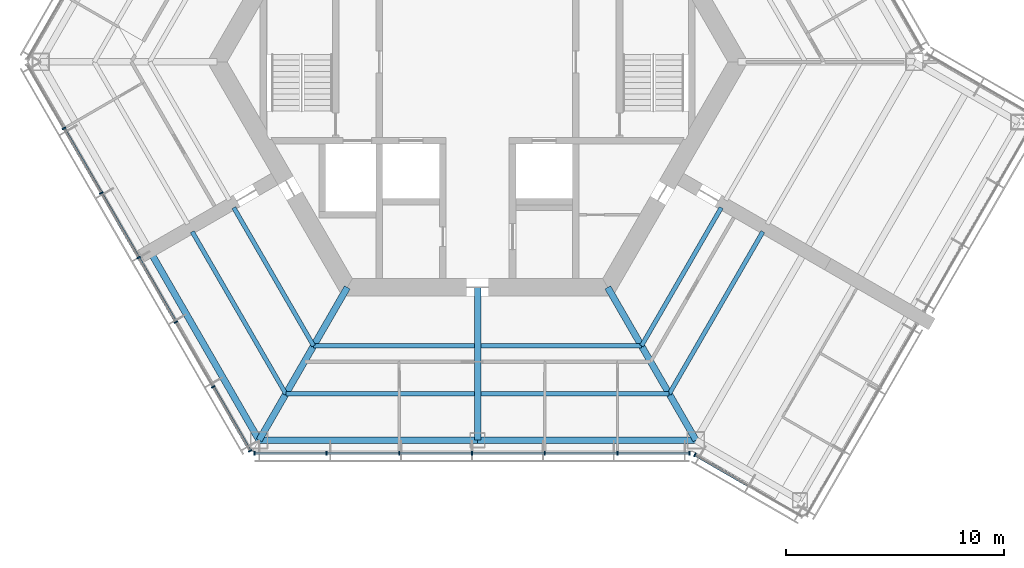
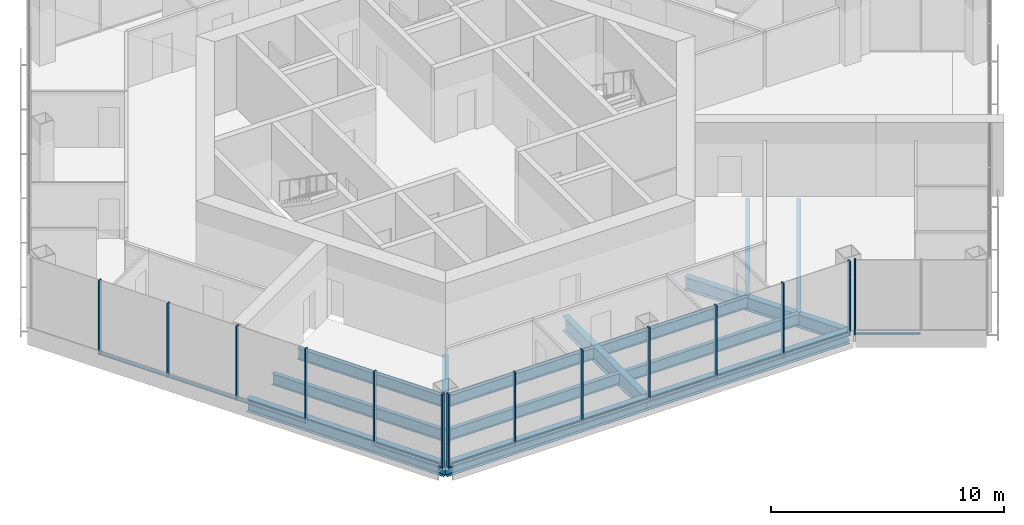
# One storey, part 2 of 13: 25 members, 14 beams, 3 elements without a shape of their own.
"""IFC4 building model written with IfcOpenShell, lengths in metres."""

from ifc_helpers import new_model, si_unit, direction, frame, origin, origin_2d, place, context, subcontext, project, spatial, rectangle, i_section, extrude, material, material_profile, profile_set, type_object, element, aggregate, save


model = new_model("IFC4")

# Units and contexts
model_context = context("Model", 3, precision=1e-05, world=origin(), true_north=direction((0.0, 1.0)))
body_context = subcontext(model_context, "Body", "Model", "MODEL_VIEW")
ifc_project = project(units=[si_unit("LENGTHUNIT", "METRE"), si_unit("AREAUNIT", "SQUARE_METRE"), si_unit("VOLUMEUNIT", "CUBIC_METRE"), si_unit("PLANEANGLEUNIT", "RADIAN"), si_unit("MASSUNIT", "GRAM", prefix="KILO")], contexts=[model_context])

# Site, building, storey
site_placement = place(None, origin())
site = spatial("IfcSite", under=ifc_project, at=site_placement, CompositionType="ELEMENT")
building_placement = place(site_placement, origin())
building = spatial("IfcBuilding", under=site, at=building_placement, Name="Kasaneha Research Tower", CompositionType="ELEMENT")
storey_placement = place(building_placement, frame((0.0, 0.0, 275.199951171875)))
storey = spatial("IfcBuildingStorey", under=building, at=storey_placement, Name="L69", CompositionType="ELEMENT", Elevation=275.199951171875)

# Beams
ifc_material_1 = material(Name="Steel SN490B", Category="steel")
ifc_material_profile_1 = material_profile(ifc_material_1, i_section(OverallWidth=0.199951171875, OverallDepth=0.60009765625, WebThickness=0.010986328125, FlangeThickness=0.01708984375, FilletRadius=0.012939453125, at=origin_2d()), Name="H-600x200x11x17")
ifc_profile_set_1 = profile_set([ifc_material_profile_1], Name="Steel SN490B")
beam_type_1 = type_object("IfcBeamType", Name="B1-3 secondary beam H-600x200x11x17", PredefinedType="JOIST", material=ifc_profile_set_1)
beam_1_placement = place(storey_placement, frame((-7.505615234375, -13.0, -0.449951171875), z_axis=(-0.499999192304, 0.866025870108, 0.0), x_axis=(-0.866025870108, -0.499999192304, 0.0)))
element("IfcBeam", 1, at=beam_1_placement, inside=storey, type_object=beam_type_1, Name="Secondary beam RS210R1 L69", PredefinedType="JOIST", context=body_context, shape_type="SweptSolid", body=[
    extrude(i_section(OverallWidth=0.199951171875, OverallDepth=0.60009765625, WebThickness=0.010986328125, FlangeThickness=0.01708984375, FilletRadius=0.012939453125, at=origin_2d()), origin(), (0.0, 0.0, 1.0), 7.3056640625),
])
beam_2_placement = place(storey_placement, frame((-8.775634765625, -15.199951171875, -0.449951171875), z_axis=(-0.500000102728, 0.866025344474, 0.0), x_axis=(-0.866025344474, -0.500000102728, 0.0)))
element("IfcBeam", 2, at=beam_2_placement, inside=storey, type_object=beam_type_1, Name="Secondary beam RS210R2 L69", PredefinedType="JOIST", context=body_context, shape_type="SweptSolid", body=[
    extrude(i_section(OverallWidth=0.199951171875, OverallDepth=0.60009765625, WebThickness=0.010986328125, FlangeThickness=0.01708984375, FilletRadius=0.012939453125, at=origin_2d()), origin(), (0.0, 0.0, 1.0), 8.57568359375),
])
beam_3_placement = place(storey_placement, frame((-7.505615234375, -13.0, -0.449951171875), z_axis=(1.0, 0.0, 0.0), x_axis=(0.0, 1.0, 0.0)))
element("IfcBeam", 3, at=beam_3_placement, inside=storey, type_object=beam_type_1, Name="Secondary beam RS270L1 L69", PredefinedType="JOIST", context=body_context, shape_type="SweptSolid", body=[
    extrude(i_section(OverallWidth=0.199951171875, OverallDepth=0.60009765625, WebThickness=0.010986328125, FlangeThickness=0.01708984375, FilletRadius=0.012939453125, at=origin_2d()), origin(), (0.0, 0.0, 1.0), 7.355712890625),
])
beam_4_placement = place(storey_placement, frame((-8.775634765625, -15.199951171875, -0.449951171875), z_axis=(1.0, 0.0, 0.0), x_axis=(0.0, 1.0, 0.0)))
element("IfcBeam", 4, at=beam_4_placement, inside=storey, type_object=beam_type_1, Name="Secondary beam RS270L2 L69", PredefinedType="JOIST", context=body_context, shape_type="SweptSolid", body=[
    extrude(i_section(OverallWidth=0.199951171875, OverallDepth=0.60009765625, WebThickness=0.010986328125, FlangeThickness=0.01708984375, FilletRadius=0.012939453125, at=origin_2d()), origin(), (0.0, 0.0, 1.0), 8.625732421875),
])
beam_5_placement = place(storey_placement, frame((7.505615234375, -13.0, -0.449951171875), z_axis=(-1.0, 0.0, 0.0), x_axis=(0.0, -1.0, 0.0)))
element("IfcBeam", 5, at=beam_5_placement, inside=storey, type_object=beam_type_1, Name="Secondary beam RS270R1 L69", PredefinedType="JOIST", context=body_context, shape_type="SweptSolid", body=[
    extrude(i_section(OverallWidth=0.199951171875, OverallDepth=0.60009765625, WebThickness=0.010986328125, FlangeThickness=0.01708984375, FilletRadius=0.012939453125, at=origin_2d()), origin(), (0.0, 0.0, 1.0), 7.355712890625),
])
beam_6_placement = place(storey_placement, frame((8.775634765625, -15.199951171875, -0.449951171875), z_axis=(-1.0, 0.0, 0.0), x_axis=(0.0, -1.0, 0.0)))
element("IfcBeam", 6, at=beam_6_placement, inside=storey, type_object=beam_type_1, Name="Secondary beam RS270R2 L69", PredefinedType="JOIST", context=body_context, shape_type="SweptSolid", body=[
    extrude(i_section(OverallWidth=0.199951171875, OverallDepth=0.60009765625, WebThickness=0.010986328125, FlangeThickness=0.01708984375, FilletRadius=0.012939453125, at=origin_2d()), origin(), (0.0, 0.0, 1.0), 8.625732421875),
])
beam_7_placement = place(storey_placement, frame((7.505615234375, -13.0, -0.449951171875), z_axis=(0.499999192304, 0.866025870108, 0.0), x_axis=(-0.866025870108, 0.499999192304, 0.0)))
element("IfcBeam", 7, at=beam_7_placement, inside=storey, type_object=beam_type_1, Name="Secondary beam RS330L1 L69", PredefinedType="JOIST", context=body_context, shape_type="SweptSolid", body=[
    extrude(i_section(OverallWidth=0.199951171875, OverallDepth=0.60009765625, WebThickness=0.010986328125, FlangeThickness=0.01708984375, FilletRadius=0.012939453125, at=origin_2d()), origin(), (0.0, 0.0, 1.0), 7.3056640625),
])
beam_8_placement = place(storey_placement, frame((8.775634765625, -15.199951171875, -0.449951171875), z_axis=(0.500000102728, 0.866025344474, 0.0), x_axis=(-0.866025344474, 0.500000102728, 0.0)))
element("IfcBeam", 8, at=beam_8_placement, inside=storey, type_object=beam_type_1, Name="Secondary beam RS330L2 L69", PredefinedType="JOIST", context=body_context, shape_type="SweptSolid", body=[
    extrude(i_section(OverallWidth=0.199951171875, OverallDepth=0.60009765625, WebThickness=0.010986328125, FlangeThickness=0.01708984375, FilletRadius=0.012939453125, at=origin_2d()), origin(), (0.0, 0.0, 1.0), 8.57568359375),
])

# Curtain wall, members
ifc_material_2 = material(Name="Glass and aluminium", Category="aluminium")
curtain_wall_type = type_object("IfcCurtainWallType", Name="Crown curtain wall", PredefinedType="USERDEFINED", material=ifc_material_2)
curtain_wall_1_placement = place(storey_placement, origin())
curtain_wall_1 = element("IfcCurtainWall", 9, at=curtain_wall_1_placement, inside=storey, type_object=curtain_wall_type, Name="CW-C L69 run 04a", ObjectType="UNITISED CURTAIN WALL", PredefinedType="USERDEFINED")
ifc_material_3 = material(Name="Aluminium 6063-T6", Category="aluminium")
ifc_material_profile_2 = material_profile(ifc_material_3, rectangle(XDim=0.06005859375, YDim=0.179931640625, at=origin_2d()), Name="CW-C mullion 60x180")
ifc_profile_set_2 = profile_set([ifc_material_profile_2], Name="Aluminium 6063-T6")
member_type_1 = type_object("IfcMemberType", Name="CW-C mullion", PredefinedType="MULLION", material=ifc_profile_set_2)
member_1_placement = place(storey_placement, frame((-18.93505859375, -3.04443359375, 0.0), z_axis=(0.0, 0.0, 1.0), x_axis=(0.499999995722, -0.866025406254, 0.0)))
member_1 = element("IfcMember", 10, at=member_1_placement, type_object=member_type_1, Name="CW-C mullion 2", PredefinedType="MULLION", context=body_context, shape_type="SweptSolid", body=[
    extrude(rectangle(XDim=0.06005859375, YDim=0.179931640625, at=origin_2d()), origin(), (0.0, 0.0, 1.0), 3.900146484375),
])
member_2_placement = place(storey_placement, frame((-17.227294921875, -6.00244140625, 0.0), z_axis=(0.0, 0.0, 1.0), x_axis=(0.499999995722, -0.866025406254, 0.0)))
member_2 = element("IfcMember", 11, at=member_2_placement, type_object=member_type_1, Name="CW-C mullion 3", PredefinedType="MULLION", context=body_context, shape_type="SweptSolid", body=[
    extrude(rectangle(XDim=0.06005859375, YDim=0.179931640625, at=origin_2d()), origin(), (0.0, 0.0, 1.0), 3.900146484375),
])
member_3_placement = place(storey_placement, frame((-15.51953125, -8.960205078125, 0.0), z_axis=(0.0, 0.0, 1.0), x_axis=(0.499999995722, -0.866025406254, 0.0)))
member_3 = element("IfcMember", 12, at=member_3_placement, type_object=member_type_1, Name="CW-C mullion 4", PredefinedType="MULLION", context=body_context, shape_type="SweptSolid", body=[
    extrude(rectangle(XDim=0.06005859375, YDim=0.179931640625, at=origin_2d()), origin(), (0.0, 0.0, 1.0), 3.900146484375),
])
member_4_placement = place(storey_placement, frame((-13.811767578125, -11.918212890625, 0.0), z_axis=(0.0, 0.0, 1.0), x_axis=(0.499999995722, -0.866025406254, 0.0)))
member_4 = element("IfcMember", 13, at=member_4_placement, type_object=member_type_1, Name="CW-C mullion 5", PredefinedType="MULLION", context=body_context, shape_type="SweptSolid", body=[
    extrude(rectangle(XDim=0.06005859375, YDim=0.179931640625, at=origin_2d()), origin(), (0.0, 0.0, 1.0), 3.900146484375),
])
member_5_placement = place(storey_placement, frame((-12.104248046875, -14.8759765625, 0.0), z_axis=(0.0, 0.0, 1.0), x_axis=(0.499999995722, -0.866025406254, 0.0)))
member_5 = element("IfcMember", 14, at=member_5_placement, type_object=member_type_1, Name="CW-C mullion 6", PredefinedType="MULLION", context=body_context, shape_type="SweptSolid", body=[
    extrude(rectangle(XDim=0.06005859375, YDim=0.179931640625, at=origin_2d()), origin(), (0.0, 0.0, 1.0), 3.900146484375),
])
member_6_placement = place(storey_placement, frame((-10.411376953125, -17.807861328125, 0.0), z_axis=(0.0, 0.0, 1.0), x_axis=(0.499999995722, -0.866025406254, 0.0)))
member_6 = element("IfcMember", 15, at=member_6_placement, type_object=member_type_1, Name="CW-C mullion 7", PredefinedType="MULLION", context=body_context, shape_type="SweptSolid", body=[
    extrude(rectangle(XDim=0.06005859375, YDim=0.179931640625, at=origin_2d()), origin(), (0.0, 0.0, 1.0), 3.900146484375),
])

curtain_wall_2_placement = place(storey_placement, origin())
curtain_wall_2 = element("IfcCurtainWall", 16, at=curtain_wall_2_placement, inside=storey, type_object=curtain_wall_type, Name="CW-C L69 run 05a", ObjectType="UNITISED CURTAIN WALL", PredefinedType="USERDEFINED")
member_7_placement = place(storey_placement, frame((-10.21630859375, -17.92041015625, 0.0), z_axis=(0.0, 0.0, 1.0), x_axis=(1.0, 0.0, 0.0)))
member_7 = element("IfcMember", 17, at=member_7_placement, type_object=member_type_1, Name="CW-C mullion 1", PredefinedType="MULLION", context=body_context, shape_type="SweptSolid", body=[
    extrude(rectangle(XDim=0.06005859375, YDim=0.179931640625, at=origin_2d()), origin(), (0.0, 0.0, 1.0), 3.900146484375),
])
member_8_placement = place(storey_placement, frame((-6.91552734375, -17.92041015625, 0.0), z_axis=(0.0, 0.0, 1.0), x_axis=(1.0, 0.0, 0.0)))
member_8 = element("IfcMember", 18, at=member_8_placement, type_object=member_type_1, Name="CW-C mullion 2", PredefinedType="MULLION", context=body_context, shape_type="SweptSolid", body=[
    extrude(rectangle(XDim=0.06005859375, YDim=0.179931640625, at=origin_2d()), origin(), (0.0, 0.0, 1.0), 3.900146484375),
])
member_9_placement = place(storey_placement, frame((-3.58447265625, -17.92041015625, 0.0), z_axis=(0.0, 0.0, 1.0), x_axis=(1.0, 0.0, 0.0)))
member_9 = element("IfcMember", 19, at=member_9_placement, type_object=member_type_1, Name="CW-C mullion 3", PredefinedType="MULLION", context=body_context, shape_type="SweptSolid", body=[
    extrude(rectangle(XDim=0.06005859375, YDim=0.179931640625, at=origin_2d()), origin(), (0.0, 0.0, 1.0), 3.900146484375),
])
member_10_placement = place(storey_placement, frame((-0.253662109375, -17.92041015625, 0.0), z_axis=(0.0, 0.0, 1.0), x_axis=(1.0, 0.0, 0.0)))
member_10 = element("IfcMember", 20, at=member_10_placement, type_object=member_type_1, Name="CW-C mullion 4", PredefinedType="MULLION", context=body_context, shape_type="SweptSolid", body=[
    extrude(rectangle(XDim=0.06005859375, YDim=0.179931640625, at=origin_2d()), origin(), (0.0, 0.0, 1.0), 3.900146484375),
])
member_11_placement = place(storey_placement, frame((3.077392578125, -17.92041015625, 0.0), z_axis=(0.0, 0.0, 1.0), x_axis=(1.0, 0.0, 0.0)))
member_11 = element("IfcMember", 21, at=member_11_placement, type_object=member_type_1, Name="CW-C mullion 5", PredefinedType="MULLION", context=body_context, shape_type="SweptSolid", body=[
    extrude(rectangle(XDim=0.06005859375, YDim=0.179931640625, at=origin_2d()), origin(), (0.0, 0.0, 1.0), 3.900146484375),
])
member_12_placement = place(storey_placement, frame((6.408203125, -17.92041015625, 0.0), z_axis=(0.0, 0.0, 1.0), x_axis=(1.0, 0.0, 0.0)))
member_12 = element("IfcMember", 22, at=member_12_placement, type_object=member_type_1, Name="CW-C mullion 6", PredefinedType="MULLION", context=body_context, shape_type="SweptSolid", body=[
    extrude(rectangle(XDim=0.06005859375, YDim=0.179931640625, at=origin_2d()), origin(), (0.0, 0.0, 1.0), 3.900146484375),
])
member_13_placement = place(storey_placement, frame((9.709228515625, -17.92041015625, 0.0), z_axis=(0.0, 0.0, 1.0), x_axis=(1.0, 0.0, 0.0)))
member_13 = element("IfcMember", 23, at=member_13_placement, type_object=member_type_1, Name="CW-C mullion 7", PredefinedType="MULLION", context=body_context, shape_type="SweptSolid", body=[
    extrude(rectangle(XDim=0.06005859375, YDim=0.179931640625, at=origin_2d()), origin(), (0.0, 0.0, 1.0), 3.900146484375),
])

# Curtain wall, member
curtain_wall_3_placement = place(storey_placement, origin())
curtain_wall_3 = element("IfcCurtainWall", 24, at=curtain_wall_3_placement, inside=storey, type_object=curtain_wall_type, Name="CW-C L69 run 06a", ObjectType="UNITISED CURTAIN WALL", PredefinedType="USERDEFINED")
member_14_placement = place(storey_placement, frame((9.951904296875, -17.985595703125, 0.0), z_axis=(0.0, 0.0, 1.0), x_axis=(0.866025443395, -0.499999931393, 0.0)))
member_14 = element("IfcMember", 25, at=member_14_placement, type_object=member_type_1, Name="CW-C mullion 1", PredefinedType="MULLION", context=body_context, shape_type="SweptSolid", body=[
    extrude(rectangle(XDim=0.06005859375, YDim=0.179931640625, at=origin_2d()), origin(), (0.0, 0.0, 1.0), 3.900146484375),
])

# Member
ifc_material_4 = material(Name="Aluminium 6063-T6", Category="aluminium")
ifc_material_profile_3 = material_profile(ifc_material_4, rectangle(XDim=0.1298828125, YDim=0.06005859375, at=origin_2d()), Name="CW-C transom 130x60")
ifc_profile_set_3 = profile_set([ifc_material_profile_3], Name="Aluminium 6063-T6")
member_type_2 = type_object("IfcMemberType", Name="CW-C transom", PredefinedType="USERDEFINED", material=ifc_profile_set_3)
member_15_placement = place(storey_placement, frame((-18.920166015625, -3.070556640625, 0.030029296875), z_axis=(0.500020578564, -0.866013522419, 0.0), x_axis=(0.866013522419, 0.500020578564, 0.0)))
member_15 = element("IfcMember", 26, at=member_15_placement, type_object=member_type_2, Name="CW-C transom 2", ObjectType="TRANSOM", PredefinedType="USERDEFINED", context=body_context, shape_type="SweptSolid", body=[
    extrude(rectangle(XDim=0.1298828125, YDim=0.06005859375, at=origin_2d()), origin(), (0.0, 0.0, 1.0), 3.355224609375),
])

member_16_placement = place(storey_placement, frame((-17.21240234375, -6.0283203125, 0.030029296875), z_axis=(0.499989072476, -0.866031712701, 0.0), x_axis=(0.866031712701, 0.499989072476, 0.0)))
member_16 = element("IfcMember", 27, at=member_16_placement, type_object=member_type_2, Name="CW-C transom 3", ObjectType="TRANSOM", PredefinedType="USERDEFINED", context=body_context, shape_type="SweptSolid", body=[
    extrude(rectangle(XDim=0.1298828125, YDim=0.06005859375, at=origin_2d()), origin(), (0.0, 0.0, 1.0), 3.35546875),
])

member_17_placement = place(storey_placement, frame((-15.504638671875, -8.986328125, 0.030029296875), z_axis=(0.500020578564, -0.866013522419, 0.0), x_axis=(0.866013522419, 0.500020578564, 0.0)))
member_17 = element("IfcMember", 28, at=member_17_placement, type_object=member_type_2, Name="CW-C transom 4", ObjectType="TRANSOM", PredefinedType="USERDEFINED", context=body_context, shape_type="SweptSolid", body=[
    extrude(rectangle(XDim=0.1298828125, YDim=0.06005859375, at=origin_2d()), origin(), (0.0, 0.0, 1.0), 3.355224609375),
])

member_18_placement = place(storey_placement, frame((-12.089111328125, -14.902099609375, 0.030029296875), z_axis=(0.49997666526, -0.866038875684, 0.0), x_axis=(0.866038875684, 0.49997666526, 0.0)))
member_18 = element("IfcMember", 29, at=member_18_placement, type_object=member_type_2, Name="CW-C transom 6", ObjectType="TRANSOM", PredefinedType="USERDEFINED", context=body_context, shape_type="SweptSolid", body=[
    extrude(rectangle(XDim=0.1298828125, YDim=0.06005859375, at=origin_2d()), origin(), (0.0, 0.0, 1.0), 3.325439453125),
])

aggregate(curtain_wall_1, [member_1, member_2, member_3, member_4, member_5, member_6, member_15, member_16, member_17, member_18])

member_19_placement = place(storey_placement, frame((-10.1865234375, -17.92041015625, 0.030029296875), z_axis=(1.0, 0.0, 0.0), x_axis=(0.0, 1.0, 0.0)))
member_19 = element("IfcMember", 30, at=member_19_placement, type_object=member_type_2, Name="CW-C transom 1", ObjectType="TRANSOM", PredefinedType="USERDEFINED", context=body_context, shape_type="SweptSolid", body=[
    extrude(rectangle(XDim=0.1298828125, YDim=0.06005859375, at=origin_2d()), origin(), (0.0, 0.0, 1.0), 3.240966796875),
])

member_20_placement = place(storey_placement, frame((-6.885498046875, -17.92041015625, 0.030029296875), z_axis=(1.0, 0.0, 0.0), x_axis=(0.0, 1.0, 0.0)))
member_20 = element("IfcMember", 31, at=member_20_placement, type_object=member_type_2, Name="CW-C transom 2", ObjectType="TRANSOM", PredefinedType="USERDEFINED", context=body_context, shape_type="SweptSolid", body=[
    extrude(rectangle(XDim=0.1298828125, YDim=0.06005859375, at=origin_2d()), origin(), (0.0, 0.0, 1.0), 3.27099609375),
])

member_21_placement = place(storey_placement, frame((-3.554443359375, -17.92041015625, 0.030029296875), z_axis=(1.0, 0.0, 0.0), x_axis=(0.0, 1.0, 0.0)))
member_21 = element("IfcMember", 32, at=member_21_placement, type_object=member_type_2, Name="CW-C transom 3", ObjectType="TRANSOM", PredefinedType="USERDEFINED", context=body_context, shape_type="SweptSolid", body=[
    extrude(rectangle(XDim=0.1298828125, YDim=0.06005859375, at=origin_2d()), origin(), (0.0, 0.0, 1.0), 3.270751953125),
])

member_22_placement = place(storey_placement, frame((-0.2236328125, -17.92041015625, 0.030029296875), z_axis=(1.0, 0.0, 0.0), x_axis=(0.0, 1.0, 0.0)))
member_22 = element("IfcMember", 33, at=member_22_placement, type_object=member_type_2, Name="CW-C transom 4", ObjectType="TRANSOM", PredefinedType="USERDEFINED", context=body_context, shape_type="SweptSolid", body=[
    extrude(rectangle(XDim=0.1298828125, YDim=0.06005859375, at=origin_2d()), origin(), (0.0, 0.0, 1.0), 3.27099609375),
])

member_23_placement = place(storey_placement, frame((3.107421875, -17.92041015625, 0.030029296875), z_axis=(1.0, 0.0, 0.0), x_axis=(0.0, 1.0, 0.0)))
member_23 = element("IfcMember", 34, at=member_23_placement, type_object=member_type_2, Name="CW-C transom 5", ObjectType="TRANSOM", PredefinedType="USERDEFINED", context=body_context, shape_type="SweptSolid", body=[
    extrude(rectangle(XDim=0.1298828125, YDim=0.06005859375, at=origin_2d()), origin(), (0.0, 0.0, 1.0), 3.270751953125),
])

member_24_placement = place(storey_placement, frame((6.438232421875, -17.92041015625, 0.030029296875), z_axis=(1.0, 0.0, 0.0), x_axis=(0.0, 1.0, 0.0)))
member_24 = element("IfcMember", 35, at=member_24_placement, type_object=member_type_2, Name="CW-C transom 6", ObjectType="TRANSOM", PredefinedType="USERDEFINED", context=body_context, shape_type="SweptSolid", body=[
    extrude(rectangle(XDim=0.1298828125, YDim=0.06005859375, at=origin_2d()), origin(), (0.0, 0.0, 1.0), 3.240966796875),
])

aggregate(curtain_wall_2, [member_7, member_8, member_9, member_10, member_11, member_12, member_13, member_19, member_20, member_21, member_22, member_23, member_24])

member_25_placement = place(storey_placement, frame((9.977783203125, -18.00048828125, 0.030029296875), z_axis=(0.866012991964, -0.500021497287, 0.0), x_axis=(0.500021497287, 0.866012991964, 0.0)))
member_25 = element("IfcMember", 36, at=member_25_placement, type_object=member_type_2, Name="CW-C transom 1", ObjectType="TRANSOM", PredefinedType="USERDEFINED", context=body_context, shape_type="SweptSolid", body=[
    extrude(rectangle(XDim=0.1298828125, YDim=0.06005859375, at=origin_2d()), origin(), (0.0, 0.0, 1.0), 2.77978515625),
])

aggregate(curtain_wall_3, [member_14, member_25])

# Beams
ifc_material_5 = material(Name="Steel SN490B", Category="steel")
ifc_material_profile_4 = material_profile(ifc_material_5, i_section(OverallWidth=0.300048828125, OverallDepth=0.699951171875, WebThickness=0.012939453125, FlangeThickness=0.02392578125, FilletRadius=0.01806640625, at=origin_2d()), Name="H-700x300x13x24")
ifc_profile_set_4 = profile_set([ifc_material_profile_4], Name="Steel SN490B")
beam_type_2 = type_object("IfcBeamType", Name="G1-3 radial girder H-700x300x13x24", PredefinedType="BEAM", material=ifc_profile_set_4)
for number, where, z_axis, x_axis, name in (
    (37, (-5.961181640625, -10.324951171875, -0.5), (-0.49999105496, -0.866030568144, 0.0), (0.866030568144, -0.49999105496, 0.0), "Radial girder RV240 L69"),
    (38, (5.961181640625, -10.324951171875, -0.5), (0.49999105496, -0.866030568144, 0.0), (0.866030568144, 0.49999105496, 0.0), "Radial girder RV300 L69"),
):
    element("IfcBeam", number, at=place(storey_placement, frame(where, z_axis=z_axis, x_axis=x_axis)), inside=storey, type_object=beam_type_2, Name=name, PredefinedType="BEAM", context=body_context, shape_type="SweptSolid", body=[
        extrude(i_section(OverallWidth=0.300048828125, OverallDepth=0.699951171875, WebThickness=0.012939453125, FlangeThickness=0.02392578125, FilletRadius=0.01806640625, at=origin_2d()), origin(), (0.0, 0.0, 1.0), 8.077880859375),
    ])
ifc_material_6 = material(Name="Steel SN490B", Category="steel")
ifc_material_profile_5 = material_profile(ifc_material_6, i_section(OverallWidth=0.300048828125, OverallDepth=0.800048828125, WebThickness=0.013916015625, FlangeThickness=0.02587890625, FilletRadius=0.01806640625, at=origin_2d()), Name="H-800x300x14x26")
ifc_profile_set_5 = profile_set([ifc_material_profile_5], Name="Steel SN490B")
beam_type_3 = type_object("IfcBeamType", Name="G2-3 radial girder H-800x300x14x26", PredefinedType="BEAM", material=ifc_profile_set_5)
beam_9_placement = place(storey_placement, frame((0.0, -10.324951171875, -0.550048828125), z_axis=(0.0, -1.0, 0.0), x_axis=(1.0, 0.0, 0.0)))
element("IfcBeam", 39, at=beam_9_placement, inside=storey, type_object=beam_type_3, Name="Radial girder RM270 L69", PredefinedType="BEAM", context=body_context, shape_type="SweptSolid", body=[
    extrude(i_section(OverallWidth=0.300048828125, OverallDepth=0.800048828125, WebThickness=0.013916015625, FlangeThickness=0.02587890625, FilletRadius=0.01806640625, at=origin_2d()), origin(), (0.0, 0.0, 1.0), 6.99560546875),
])
ifc_material_7 = material(Name="Steel SN490B", Category="steel")
ifc_material_profile_6 = material_profile(ifc_material_7, i_section(OverallWidth=0.300048828125, OverallDepth=0.69189453125, WebThickness=0.012939453125, FlangeThickness=0.02001953125, FilletRadius=0.01806640625, at=origin_2d()), Name="H-692x300x13x20")
ifc_profile_set_6 = profile_set([ifc_material_profile_6], Name="Steel SN490B")
beam_type_4 = type_object("IfcBeamType", Name="G3-3 plate edge girder H-692x300x13x20", PredefinedType="BEAM", material=ifc_profile_set_6)
beam_10_placement = place(storey_placement, frame((-10.0, -17.320556640625, -0.495849609375), z_axis=(-0.49999201416, 0.866030014362, 0.0), x_axis=(-0.866030014362, -0.49999201416, 0.0)))
element("IfcBeam", 40, at=beam_10_placement, inside=storey, type_object=beam_type_4, Name="Plate edge girder PEBN L69", PredefinedType="BEAM", context=body_context, shape_type="SweptSolid", body=[
    extrude(i_section(OverallWidth=0.300048828125, OverallDepth=0.69189453125, WebThickness=0.012939453125, FlangeThickness=0.02001953125, FilletRadius=0.01806640625, at=origin_2d()), origin(), (0.0, 0.0, 1.0), 9.800048828125),
])
ifc_material_8 = material(Name="Steel SN490B", Category="steel")
ifc_material_profile_7 = material_profile(ifc_material_8, i_section(OverallWidth=0.300048828125, OverallDepth=0.69189453125, WebThickness=0.012939453125, FlangeThickness=0.02001953125, FilletRadius=0.01806640625, at=origin_2d()), Name="H-692x300x13x20")
ifc_profile_set_7 = profile_set([ifc_material_profile_7], Name="Steel SN490B")
beam_type_5 = type_object("IfcBeamType", Name="SB1-3 spandrel beam H-692x300x13x20", PredefinedType="SPANDREL", material=ifc_profile_set_7)
for number, where, z_axis, x_axis, name in (
    (41, (-10.0, -17.320556640625, -0.495849609375), (1.0, 0.0, 0.0), (0.0, 1.0, 0.0), "Spandrel beam SR270L L69"),
    (42, (10.0, -17.320556640625, -0.495849609375), (-1.0, 0.0, 0.0), (0.0, -1.0, 0.0), "Spandrel beam SR270R L69"),
):
    element("IfcBeam", number, at=place(storey_placement, frame(where, z_axis=z_axis, x_axis=x_axis)), inside=storey, type_object=beam_type_5, Name=name, PredefinedType="SPANDREL", context=body_context, shape_type="SweptSolid", body=[
        extrude(i_section(OverallWidth=0.300048828125, OverallDepth=0.69189453125, WebThickness=0.012939453125, FlangeThickness=0.02001953125, FilletRadius=0.01806640625, at=origin_2d()), origin(), (0.0, 0.0, 1.0), 10.0),
    ])

save(model, "model.ifc")
